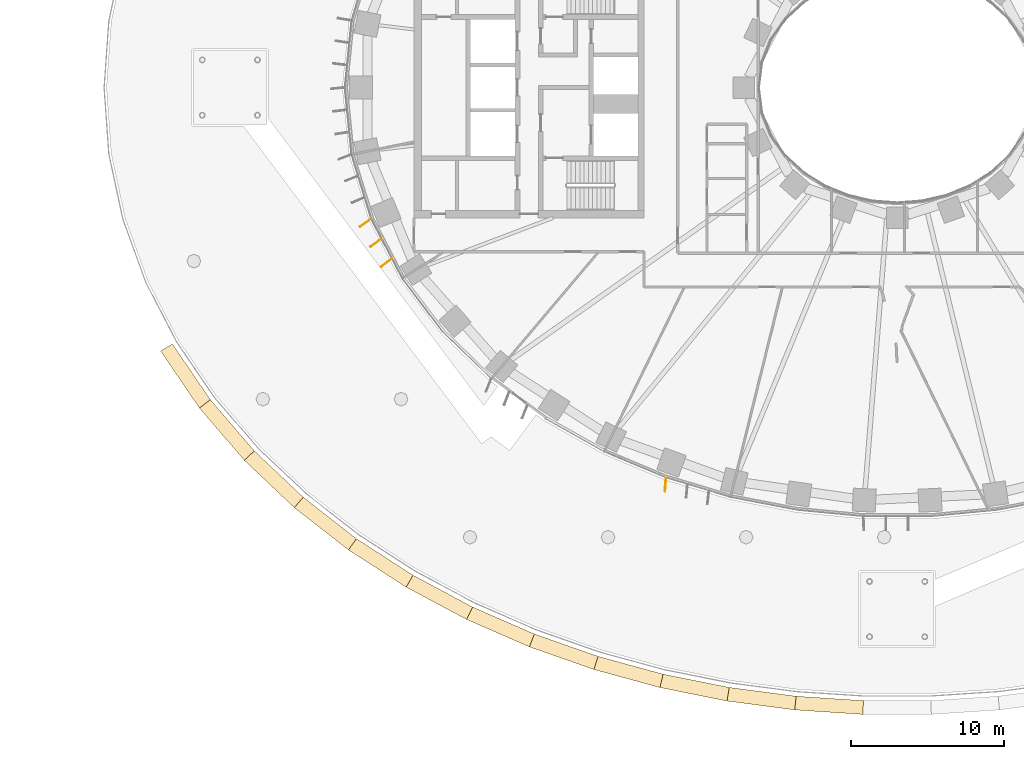
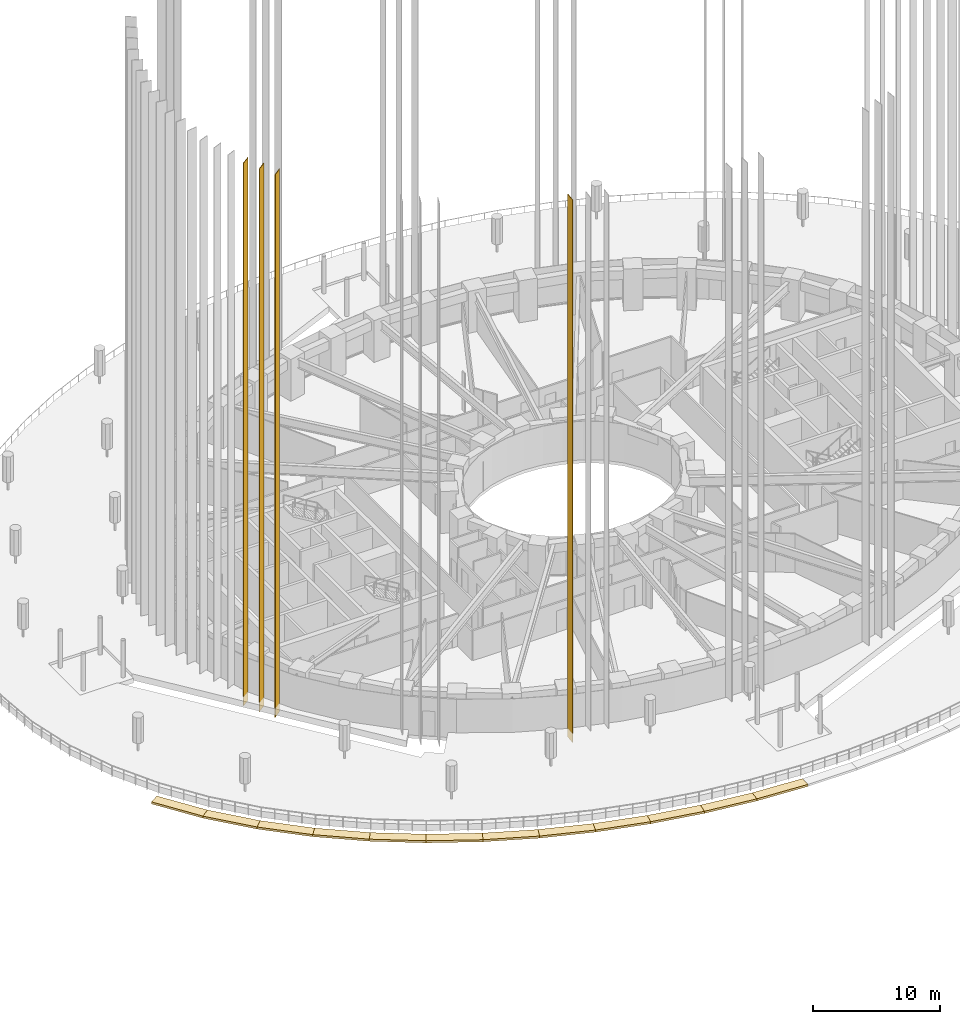
# One storey, part 22 of 30: 16 coverings.
"""IFC4 building model written with IfcOpenShell, lengths in metres."""

from ifc_helpers import new_model, si_unit, direction, frame, origin, origin_2d, place, context, subcontext, project, spatial, polyline, rectangle, outline, extrude, material, material_profile, profile_set, type_object, element, save


model = new_model("IFC4")

# Units and contexts
model_context = context("Model", 3, precision=1e-05, world=origin(), true_north=direction((0.0, 1.0)))
body_context = subcontext(model_context, "Body", "Model", "MODEL_VIEW")
ifc_project = project(units=[si_unit("LENGTHUNIT", "METRE"), si_unit("AREAUNIT", "SQUARE_METRE"), si_unit("VOLUMEUNIT", "CUBIC_METRE"), si_unit("PLANEANGLEUNIT", "RADIAN"), si_unit("MASSUNIT", "GRAM", prefix="KILO")], contexts=[model_context])

# Site, building, storey
site_placement = place(None, origin())
site = spatial("IfcSite", under=ifc_project, at=site_placement, CompositionType="ELEMENT")
building_placement = place(site_placement, origin())
building = spatial("IfcBuilding", under=site, at=building_placement, Name="Noorbagh Ring Tower", CompositionType="ELEMENT")
storey_placement = place(building_placement, frame((0.0, 0.0, 30.5)))
storey = spatial("IfcBuildingStorey", under=building, at=storey_placement, Name="L05", CompositionType="ELEMENT", Elevation=30.5)

# Coverings
ifc_material_1 = material(Name="Aluminium 6063-T6 black anodised", Category="aluminium")
ifc_material_profile = material_profile(ifc_material_1, rectangle(XDim=0.89990234375, YDim=0.050048828125, at=origin_2d()), Name="900x50")
ifc_profile_set = profile_set([ifc_material_profile], Name="Aluminium 6063-T6 black anodised")
covering_type_1 = type_object("IfcCoveringType", Name="ENV-FIN", PredefinedType="CLADDING", material=ifc_profile_set)
for number, where, z_axis, x_axis, name in (
    (1, (-34.651611328125, -8.810791015625, -0.284912109375), (0.0, 0.0, 1.0), (-0.815855460993, -0.57825588347, 0.0), "Fin F26 1 L05-L17"),
    (2, (-33.9716796875, -10.113525390625, -0.284912109375), (0.0, 0.0, 1.0), (-0.804260303023, -0.59427717858, 0.0), "Fin F26 2 L05-L17"),
    (3, (-33.291748046875, -11.415771484375, -0.284912109375), (0.0, 0.0, 1.0), (-0.793137535147, -0.609042568579, 0.0), "Fin F26 3 L05-L17"),
    (4, (-15.102294921875, -25.884521484375, -0.284912109375), (0.0, 0.0, 1.0), (-0.078357246483, -0.996925344208, 0.0), "Fin F32 1 L05-L17"),
):
    element("IfcCovering", number, at=place(storey_placement, frame(where, z_axis=z_axis, x_axis=x_axis)), inside=storey, type_object=covering_type_1, Name=name, ObjectType="FIN", PredefinedType="CLADDING", context=body_context, shape_type="SweptSolid", body=[
        extrude(rectangle(XDim=0.89990234375, YDim=0.050048828125, at=origin_2d()), origin(), (0.0, 0.0, 1.0), 51.969970703125),
    ])
ifc_material_2 = material(Name="Red sandstone eave", Category="masonry")
covering_type_2 = type_object("IfcCoveringType", Name="STY-CHHAJJA", PredefinedType="USERDEFINED", material=ifc_material_2)
covering_1_placement = place(storey_placement, frame((0.0, 0.0, -0.199951171875)))
element("IfcCovering", 5, at=covering_1_placement, inside=storey, type_object=covering_type_2, Name="Chhajja eave", ObjectType="CHHAJJA", PredefinedType="USERDEFINED", context=body_context, shape_type="SweptSolid", body=[
    extrude(outline(polyline([(-47.2431640625, -16.71337890625), (-44.77001953125, -20.346923828125), (-45.485595703125, -20.89501953125), (-48.017578125, -17.175048828125), (-47.2431640625, -16.71337890625)])), origin(), (0.0, 0.0, 1.0), 0.199951171875),
])
covering_2_placement = place(storey_placement, frame((0.0, 0.0, -0.199951171875)))
element("IfcCovering", 6, at=covering_2_placement, inside=storey, type_object=covering_type_2, Name="Chhajja eave", ObjectType="CHHAJJA", PredefinedType="USERDEFINED", context=body_context, shape_type="SweptSolid", body=[
    extrude(outline(polyline([(-44.77001953125, -20.346923828125), (-41.906494140625, -23.682373046875), (-42.55908203125, -24.3037109375), (-45.485595703125, -20.89501953125), (-44.77001953125, -20.346923828125)])), origin(), (0.0, 0.0, 1.0), 0.199951171875),
])
covering_3_placement = place(storey_placement, frame((0.0, 0.0, -0.199951171875)))
element("IfcCovering", 7, at=covering_3_placement, inside=storey, type_object=covering_type_2, Name="Chhajja eave", ObjectType="CHHAJJA", PredefinedType="USERDEFINED", context=body_context, shape_type="SweptSolid", body=[
    extrude(outline(polyline([(-41.906494140625, -23.682373046875), (-38.71435546875, -26.70458984375), (-39.3017578125, -27.3876953125), (-42.55908203125, -24.3037109375), (-41.906494140625, -23.682373046875)])), origin(), (0.0, 0.0, 1.0), 0.199951171875),
])
covering_4_placement = place(storey_placement, frame((0.0, 0.0, -0.199951171875)))
element("IfcCovering", 8, at=covering_4_placement, inside=storey, type_object=covering_type_2, Name="Chhajja eave", ObjectType="CHHAJJA", PredefinedType="USERDEFINED", context=body_context, shape_type="SweptSolid", body=[
    extrude(outline(polyline([(-38.71435546875, -26.70458984375), (-35.247802734375, -29.408203125), (-35.769775390625, -30.142578125), (-39.3017578125, -27.3876953125), (-38.71435546875, -26.70458984375)])), origin(), (0.0, 0.0, 1.0), 0.199951171875),
])
covering_5_placement = place(storey_placement, frame((0.0, 0.0, -0.199951171875)))
element("IfcCovering", 9, at=covering_5_placement, inside=storey, type_object=covering_type_2, Name="Chhajja eave", ObjectType="CHHAJJA", PredefinedType="USERDEFINED", context=body_context, shape_type="SweptSolid", body=[
    extrude(outline(polyline([(-35.247802734375, -29.408203125), (-31.5546875, -31.793701171875), (-32.011474609375, -32.56982421875), (-35.769775390625, -30.142578125), (-35.247802734375, -29.408203125)])), origin(), (0.0, 0.0, 1.0), 0.199951171875),
])
covering_6_placement = place(storey_placement, frame((0.0, 0.0, -0.199951171875)))
element("IfcCovering", 10, at=covering_6_placement, inside=storey, type_object=covering_type_2, Name="Chhajja eave", ObjectType="CHHAJJA", PredefinedType="USERDEFINED", context=body_context, shape_type="SweptSolid", body=[
    extrude(outline(polyline([(-31.5546875, -31.793701171875), (-27.67578125, -33.864013671875), (-28.068603515625, -34.674560546875), (-32.011474609375, -32.56982421875), (-31.5546875, -31.793701171875)])), origin(), (0.0, 0.0, 1.0), 0.199951171875),
])
covering_7_placement = place(storey_placement, frame((0.0, 0.0, -0.199951171875)))
element("IfcCovering", 11, at=covering_7_placement, inside=storey, type_object=covering_type_2, Name="Chhajja eave", ObjectType="CHHAJJA", PredefinedType="USERDEFINED", context=body_context, shape_type="SweptSolid", body=[
    extrude(outline(polyline([(-27.67578125, -33.864013671875), (-23.647216796875, -35.624755859375), (-23.976806640625, -36.462890625), (-28.068603515625, -34.674560546875), (-27.67578125, -33.864013671875)])), origin(), (0.0, 0.0, 1.0), 0.199951171875),
])
covering_8_placement = place(storey_placement, frame((0.0, 0.0, -0.199951171875)))
element("IfcCovering", 12, at=covering_8_placement, inside=storey, type_object=covering_type_2, Name="Chhajja eave", ObjectType="CHHAJJA", PredefinedType="USERDEFINED", context=body_context, shape_type="SweptSolid", body=[
    extrude(outline(polyline([(-23.647216796875, -35.624755859375), (-19.49853515625, -37.081298828125), (-19.7666015625, -37.941162109375), (-23.976806640625, -36.462890625), (-23.647216796875, -35.624755859375)])), origin(), (0.0, 0.0, 1.0), 0.199951171875),
])
covering_9_placement = place(storey_placement, frame((0.0, 0.0, -0.199951171875)))
element("IfcCovering", 13, at=covering_9_placement, inside=storey, type_object=covering_type_2, Name="Chhajja eave", ObjectType="CHHAJJA", PredefinedType="USERDEFINED", context=body_context, shape_type="SweptSolid", body=[
    extrude(outline(polyline([(-19.49853515625, -37.081298828125), (-15.2568359375, -38.239501953125), (-15.464111328125, -39.115966796875), (-19.7666015625, -37.941162109375), (-19.49853515625, -37.081298828125)])), origin(), (0.0, 0.0, 1.0), 0.199951171875),
])
covering_10_placement = place(storey_placement, frame((0.0, 0.0, -0.199951171875)))
element("IfcCovering", 14, at=covering_10_placement, inside=storey, type_object=covering_type_2, Name="Chhajja eave", ObjectType="CHHAJJA", PredefinedType="USERDEFINED", context=body_context, shape_type="SweptSolid", body=[
    extrude(outline(polyline([(-15.2568359375, -38.239501953125), (-10.945556640625, -39.103759765625), (-11.093017578125, -39.9921875), (-15.464111328125, -39.115966796875), (-15.2568359375, -38.239501953125)])), origin(), (0.0, 0.0, 1.0), 0.199951171875),
])
covering_11_placement = place(storey_placement, frame((0.0, 0.0, -0.199951171875)))
element("IfcCovering", 15, at=covering_11_placement, inside=storey, type_object=covering_type_2, Name="Chhajja eave", ObjectType="CHHAJJA", PredefinedType="USERDEFINED", context=body_context, shape_type="SweptSolid", body=[
    extrude(outline(polyline([(-10.945556640625, -39.103759765625), (-6.586181640625, -39.677978515625), (-6.67431640625, -40.573974609375), (-11.093017578125, -39.9921875), (-10.945556640625, -39.103759765625)])), origin(), (0.0, 0.0, 1.0), 0.199951171875),
])
covering_12_placement = place(storey_placement, frame((0.0, 0.0, -0.199951171875)))
element("IfcCovering", 16, at=covering_12_placement, inside=storey, type_object=covering_type_2, Name="Chhajja eave", ObjectType="CHHAJJA", PredefinedType="USERDEFINED", context=body_context, shape_type="SweptSolid", body=[
    extrude(outline(polyline([(-6.586181640625, -39.677978515625), (-2.198486328125, -39.964111328125), (-2.227783203125, -40.8642578125), (-6.67431640625, -40.573974609375), (-6.586181640625, -39.677978515625)])), origin(), (0.0, 0.0, 1.0), 0.199951171875),
])

save(model, "model.ifc")
